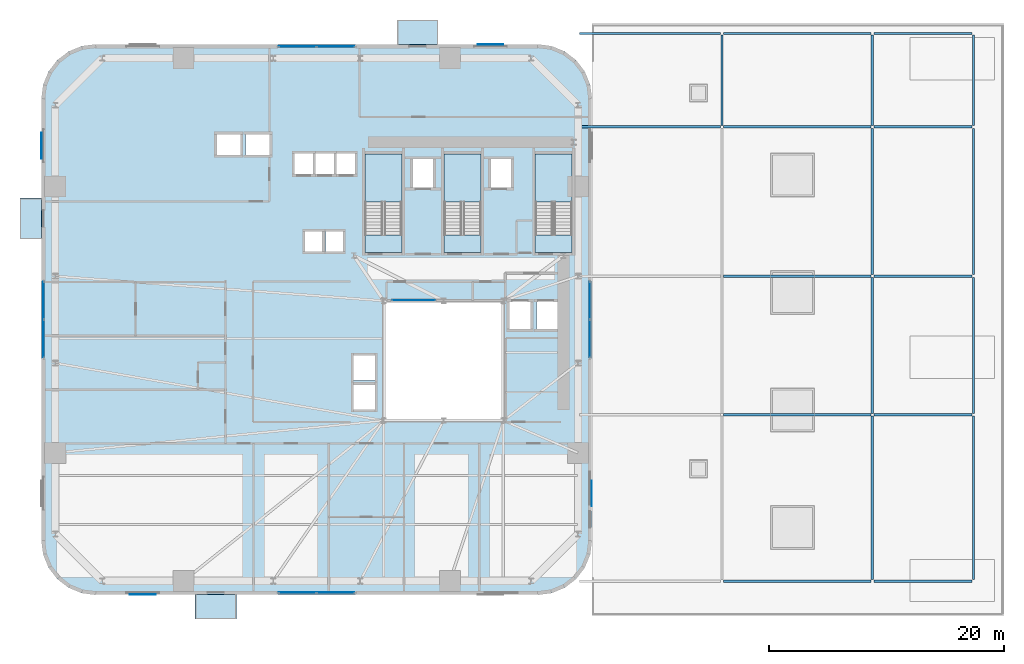
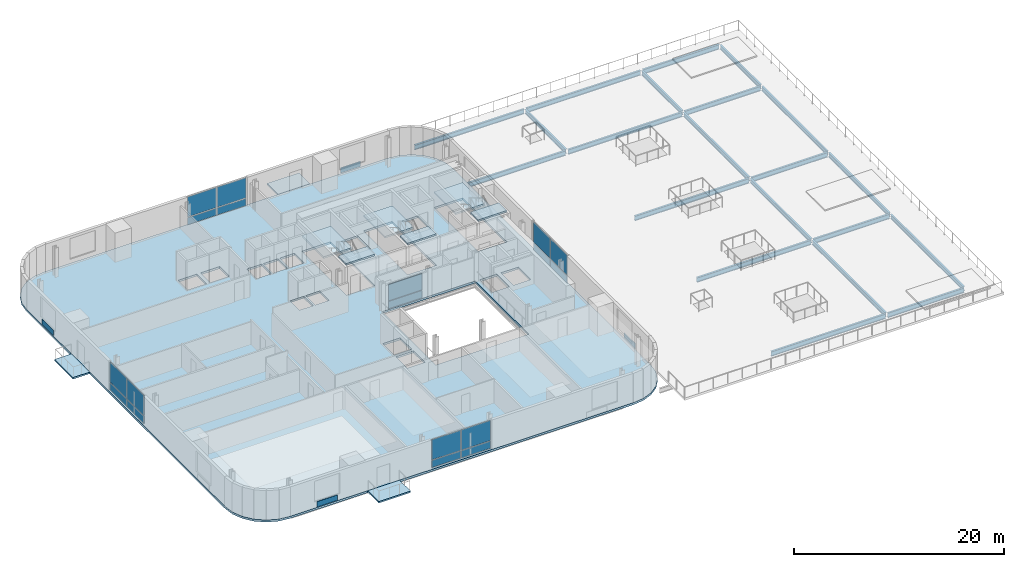
# One storey, part 7 of 18: 22 plates, 21 beams, 10 slabs, 8 elements without a shape of their own.
"""IFC4 building model written with IfcOpenShell, lengths in metres."""

import ifcopenshell
import ifcopenshell.guid

model = None  # the IFC model being written
_history = None  # IfcOwnerHistory: only IFC2X3 demands one
_inside = {}  # id of a spatial element -> (the spatial element, [elements in it])
_under = {}  # id of a project, library or spatial element -> (it, [spatial elements below it])
_declared = {}  # id of a project -> (the project, [libraries it declares])
_typed = {}  # id of a type object -> (the type object, [elements of that type])
_made_of = {}  # id of a material, layer set ... -> (it, [elements and type objects made of it])


def new_model(schema):
    """Start an empty IFC model of exactly this schema.

    Asked for "IFC4X3", IfcOpenShell would pick the latest addendum, in which some entities
    have other attributes; the version numbers below select the first issue.
    IFC2X3 requires an IfcOwnerHistory on every rooted entity: one is made here for all.
    """
    global model, _history
    if schema == "IFC4X3":
        model = ifcopenshell.file(schema_version=(4, 3, 0, 0))
    else:
        model = ifcopenshell.file(schema=schema)
    _inside.clear()
    _under.clear()
    _declared.clear()
    _typed.clear()
    _made_of.clear()
    _history = None
    if model.schema == "IFC2X3":
        org = make("IfcOrganization", Name="unknown")
        user = make(
            "IfcPersonAndOrganization",
            ThePerson=make("IfcPerson", FamilyName="unknown"),
            TheOrganization=org,
        )
        app = make(
            "IfcApplication",
            ApplicationDeveloper=org,
            Version="unknown",
            ApplicationFullName="unknown",
            ApplicationIdentifier="unknown",
        )
        _history = make(
            "IfcOwnerHistory",
            OwningUser=user,
            OwningApplication=app,
            ChangeAction="ADDED",
            CreationDate=0,
        )
    return model


def make(cls, **values):
    """One entity of the class cls with the attributes given. An attribute that is None is left unset."""
    return model.create_entity(
        cls, **{name: value for name, value in values.items() if value is not None}
    )


def rooted(cls, **values):
    """An entity with a GlobalId (a new one), such as an element, a storey or a relation."""
    return make(cls, GlobalId=ifcopenshell.guid.new(), OwnerHistory=_history, **values)


def si_unit(unit_type, name, prefix=None):
    """IfcSIUnit, for example si_unit("LENGTHUNIT", "METRE", prefix="MILLI")."""
    return make("IfcSIUnit", UnitType=unit_type, Prefix=prefix, Name=name)


def assignment(units):
    """IfcUnitAssignment: the units of a project."""
    return None if units is None else make("IfcUnitAssignment", Units=units)


def point(xyz):
    """IfcCartesianPoint."""
    return None if xyz is None else make("IfcCartesianPoint", Coordinates=xyz)


def direction(xyz):
    """IfcDirection."""
    return None if xyz is None else make("IfcDirection", DirectionRatios=xyz)


def frame(location, z_axis=None, x_axis=None):
    """IfcAxis2Placement3D, a coordinate frame: its origin and axes. An axis left out is left unset."""
    return make(
        "IfcAxis2Placement3D",
        Location=point(location),
        Axis=direction(z_axis),
        RefDirection=direction(x_axis),
    )


def frame_2d(location, x_axis=None):
    """IfcAxis2Placement2D, a coordinate frame in the plane: its origin and x axis."""
    return make(
        "IfcAxis2Placement2D", Location=point(location), RefDirection=direction(x_axis)
    )


def origin():
    """The frame at (0, 0, 0) with its axes left unset."""
    return frame((0.0, 0.0, 0.0))


def origin_2d():
    """The frame at (0, 0) in the plane with its x axis left unset."""
    return frame_2d((0.0, 0.0))


def place(relative_to, where):
    """IfcLocalPlacement: puts the frame where relative to a parent placement (None: the world)."""
    return make(
        "IfcLocalPlacement", PlacementRelTo=relative_to, RelativePlacement=where
    )


def context(
    kind, dimensions, precision=None, world=None, true_north=None, identifier=None
):
    """IfcGeometricRepresentationContext, for example the 3D "Model" context."""
    return make(
        "IfcGeometricRepresentationContext",
        ContextIdentifier=identifier,
        ContextType=kind,
        CoordinateSpaceDimension=dimensions,
        Precision=precision,
        WorldCoordinateSystem=world,
        TrueNorth=true_north,
    )


def subcontext(parent, identifier, kind, view, scale=None):
    """IfcGeometricRepresentationSubContext, for example "Body" below "Model"."""
    return make(
        "IfcGeometricRepresentationSubContext",
        ContextIdentifier=identifier,
        ContextType=kind,
        ParentContext=parent,
        TargetScale=scale,
        TargetView=view,
    )


def project(units=None, contexts=None):
    """IfcProject with its units and contexts."""
    return rooted(
        "IfcProject",
        Name="project",
        RepresentationContexts=contexts,
        UnitsInContext=assignment(units),
    )


def spatial(cls, under=None, at=None, **own):
    """A site, building, storey or space (cls), placed at a placement, below another one or the project."""
    s = rooted(cls, ObjectPlacement=at, **own)
    if under is not None:
        _under.setdefault(under.id(), (under, []))[1].append(s)
    return s


def polyline(points):
    """IfcPolyline through the points."""
    return make("IfcPolyline", Points=[point(p) for p in points])


def profile(cls, at=None, kind="AREA", **sizes):
    """A parametric profile (cls). Its sizes go by their IFC names, for example OverallWidth=200.0."""
    return make(cls, ProfileType=kind, Position=at, **sizes)


def rectangle(**sizes):
    """IfcRectangleProfileDef."""
    return profile("IfcRectangleProfileDef", **sizes)


def i_section(**sizes):
    """IfcIShapeProfileDef."""
    return profile("IfcIShapeProfileDef", **sizes)


def outline(outer, holes=None, kind="AREA"):
    """IfcArbitraryClosedProfileDef: a profile drawn as a closed curve; with holes, ...WithVoids."""
    if holes is None:
        return make("IfcArbitraryClosedProfileDef", ProfileType=kind, OuterCurve=outer)
    return make(
        "IfcArbitraryProfileDefWithVoids",
        ProfileType=kind,
        OuterCurve=outer,
        InnerCurves=holes,
    )


def extrude(swept, where, along, depth):
    """IfcExtrudedAreaSolid: the profile swept, set in the frame where, extruded along a direction by depth."""
    return make(
        "IfcExtrudedAreaSolid",
        SweptArea=swept,
        Position=where,
        ExtrudedDirection=direction(along),
        Depth=depth,
    )


def shape(context_of_items, identifier, shape_type, items):
    """IfcShapeRepresentation: the items that make up one representation, for example the "Body"."""
    return make(
        "IfcShapeRepresentation",
        ContextOfItems=context_of_items,
        RepresentationIdentifier=identifier,
        RepresentationType=shape_type,
        Items=items,
    )


def source(mapping_origin, context_of_items, identifier, shape_type, items):
    """IfcRepresentationMap: a shape defined once, which mapped items show again and again."""
    return make(
        "IfcRepresentationMap",
        MappingOrigin=mapping_origin,
        MappedRepresentation=shape(context_of_items, identifier, shape_type, items),
    )


def transform(
    local_origin,
    x_axis=None,
    y_axis=None,
    z_axis=None,
    scale=None,
    scale2=None,
    scale3=None,
    uniform=True,
):
    """IfcCartesianTransformationOperator3D, or its non-uniform kind. x_axis, y_axis, z_axis: its Axis1, 2, 3."""
    if uniform:
        return make(
            "IfcCartesianTransformationOperator3D",
            Axis1=direction(x_axis),
            Axis2=direction(y_axis),
            LocalOrigin=point(local_origin),
            Scale=scale,
            Axis3=direction(z_axis),
        )
    return make(
        "IfcCartesianTransformationOperator3DnonUniform",
        Axis1=direction(x_axis),
        Axis2=direction(y_axis),
        LocalOrigin=point(local_origin),
        Scale=scale,
        Axis3=direction(z_axis),
        Scale2=scale2,
        Scale3=scale3,
    )


def mapped(mapping_source, mapping_target):
    """IfcMappedItem: shows the shape of a source again, moved by a transform."""
    return make(
        "IfcMappedItem", MappingSource=mapping_source, MappingTarget=mapping_target
    )


def material(Name=None, Category=None):
    """IfcMaterial."""
    return make("IfcMaterial", Name=Name, Category=Category)


def layer(
    of_material, thickness, ventilated=None, Name=None, Category=None, Priority=None
):
    """IfcMaterialLayer: one layer of a wall or slab, of a material (None: an air gap)."""
    return make(
        "IfcMaterialLayer",
        Material=of_material,
        LayerThickness=thickness,
        IsVentilated=ventilated,
        Name=Name,
        Category=Category,
        Priority=Priority,
    )


def layer_set(layers, Name=None):
    """IfcMaterialLayerSet."""
    return make("IfcMaterialLayerSet", MaterialLayers=layers, LayerSetName=Name)


def material_profile(
    of_material, cross_section, Name=None, Category=None, Priority=None
):
    """IfcMaterialProfile: a cross section and its material."""
    return make(
        "IfcMaterialProfile",
        Name=Name,
        Material=of_material,
        Profile=cross_section,
        Priority=Priority,
        Category=Category,
    )


def profile_set(profiles, Name=None, composite=None):
    """IfcMaterialProfileSet."""
    return make(
        "IfcMaterialProfileSet",
        Name=Name,
        MaterialProfiles=profiles,
        CompositeProfile=composite,
    )


def made_of(thing, what):
    """Note that an element or type object is made of a material, layer set ...; save() writes the relation."""
    if what is not None:
        _made_of.setdefault(what.id(), (what, []))[1].append(thing)
    return thing


def type_object(cls, material=None, **own):
    """A type object (cls), such as IfcWallType, which elements share."""
    return made_of(rooted(cls, **own), material)


def element(
    cls,
    number,
    at=None,
    inside=None,
    cuts=None,
    type_object=None,
    material=None,
    context=None,
    identifier="Body",
    shape_type=None,
    held_by="IfcProductDefinitionShape",
    body=None,
    shapes=None,
    **own,
):
    """One element of the class cls, such as IfcWall. Its Tag is "e" and its number.

    at: its placement. inside: the storey or other place that contains it. cuts: it is an
    opening in that element (IfcRelVoidsElement). A single representation is given by context,
    identifier, shape_type and body (its items); several are given by shapes. held_by: the class
    of the entity that holds the representations. save() writes the other relations.
    """
    e = rooted(cls, Tag="e%d" % number, ObjectPlacement=at, **own)
    if body is not None:
        shapes = [shape(context, identifier, shape_type, body)]
    if shapes is not None:
        e.Representation = make(held_by, Representations=shapes)
    if inside is not None:
        _inside.setdefault(inside.id(), (inside, []))[1].append(e)
    if cuts is not None:
        rooted(
            "IfcRelVoidsElement", RelatingBuildingElement=cuts, RelatedOpeningElement=e
        )
    if type_object is not None:
        _typed.setdefault(type_object.id(), (type_object, []))[1].append(e)
    return made_of(e, material)


def aggregate(whole, parts):
    """IfcRelAggregates: a whole, such as a stair, and the parts it consists of."""
    return rooted("IfcRelAggregates", RelatingObject=whole, RelatedObjects=parts)


def save(model, path):
    """Write the relations noted so far, then the file.

    IfcRelAggregates (storeys below a building ...), IfcRelContainedInSpatialStructure (elements
    in a storey), IfcRelDefinesByType, IfcRelAssociatesMaterial and IfcRelDeclares: one each for
    every whole, place, type object, material and project.
    """
    for whole, parts in _under.values():
        aggregate(whole, parts)
    for where, things in _inside.values():
        rooted(
            "IfcRelContainedInSpatialStructure",
            RelatedElements=things,
            RelatingStructure=where,
        )
    for kind, things in _typed.values():
        rooted("IfcRelDefinesByType", RelatedObjects=things, RelatingType=kind)
    for what, things in _made_of.values():
        rooted("IfcRelAssociatesMaterial", RelatedObjects=things, RelatingMaterial=what)
    for by, libraries in _declared.values():
        rooted("IfcRelDeclares", RelatingContext=by, RelatedDefinitions=libraries)
    model.write(path)


model = new_model("IFC4")

# Units and contexts
model_context = context("Model", 3, precision=1e-05, world=origin(), true_north=direction((0.0, 1.0)))
body_context = subcontext(model_context, "Body", "Model", "MODEL_VIEW")
ifc_project = project(units=[si_unit("LENGTHUNIT", "METRE"), si_unit("AREAUNIT", "SQUARE_METRE"), si_unit("VOLUMEUNIT", "CUBIC_METRE"), si_unit("PLANEANGLEUNIT", "RADIAN"), si_unit("MASSUNIT", "GRAM", prefix="KILO")], contexts=[model_context])

# Site, building, storey
site_placement = place(None, origin())
site = spatial("IfcSite", under=ifc_project, at=site_placement, CompositionType="ELEMENT")
building_placement = place(site_placement, origin())
building = spatial("IfcBuilding", under=site, at=building_placement, Name="Vardaveli Station Tower", CompositionType="ELEMENT")
storey_placement = place(building_placement, frame((0.0, 0.0, 27.60009765625)))
storey = spatial("IfcBuildingStorey", under=building, at=storey_placement, Name="L06", CompositionType="ELEMENT", Elevation=27.60009765625)

# Beams
ifc_material_1 = material(Name="Structural steel S355J2", Category="steel")
ifc_material_profile_1 = material_profile(ifc_material_1, i_section(OverallWidth=0.2099609375, OverallDepth=0.550048828125, WebThickness=0.010986328125, FlangeThickness=0.01708984375, FilletRadius=0.02392578125, at=origin_2d()), Name="IPE 550")
ifc_profile_set_1 = profile_set([ifc_material_profile_1], Name="Structural steel S355J2")
beam_type_1 = type_object("IfcBeamType", Name="BM-IPE550", PredefinedType="BEAM", material=ifc_profile_set_1)
shared_shape_1 = source(origin(), body_context, "Body", "SweptSolid", [
    extrude(i_section(OverallWidth=0.2099609375, OverallDepth=0.550048828125, WebThickness=0.010986328125, FlangeThickness=0.01708984375, FilletRadius=0.02392578125, at=origin_2d()), origin(), (0.0, 0.0, 1.0), 12.009765625),
])
for number, where, z_axis, x_axis, name in (
    (1, (47.8701171875, 41.60009765625, -0.53515625), (1.0, 0.0, 0.0), (0.0, 1.0, 0.0), "PRB-L06-EW4-47"),
    (2, (47.8701171875, 49.550048828125, -0.53515625), (1.0, 0.0, 0.0), (0.0, 1.0, 0.0), "PRB-L06-EW5-47"),
):
    element("IfcBeam", number, at=place(storey_placement, frame(where, z_axis=z_axis, x_axis=x_axis)), inside=storey, type_object=beam_type_1, Name=name, PredefinedType="BEAM", context=body_context, shape_type="MappedRepresentation", body=[
        mapped(shared_shape_1, transform((0.0, 0.0, 0.0), scale=1.0)),
    ])
shared_shape_2 = source(origin(), body_context, "Body", "SweptSolid", [
    extrude(i_section(OverallWidth=0.2099609375, OverallDepth=0.550048828125, WebThickness=0.010986328125, FlangeThickness=0.01708984375, FilletRadius=0.02392578125, at=origin_2d()), origin(), (0.0, 0.0, 1.0), 12.559814453125),
])
for number, where, z_axis, x_axis, name in (
    (3, (60.1201171875, 2.949951171875, -0.53515625), (1.0, 0.0, 0.0), (0.0, 1.0, 0.0), "PRB-L06-EW1-60"),
    (4, (60.1201171875, 17.10009765625, -0.53515625), (1.0, 0.0, 0.0), (0.0, 1.0, 0.0), "PRB-L06-EW2-60"),
    (5, (60.1201171875, 28.89990234375, -0.53515625), (1.0, 0.0, 0.0), (0.0, 1.0, 0.0), "PRB-L06-EW3-60"),
    (6, (60.1201171875, 41.60009765625, -0.53515625), (1.0, 0.0, 0.0), (0.0, 1.0, 0.0), "PRB-L06-EW4-60"),
    (7, (60.1201171875, 49.550048828125, -0.53515625), (1.0, 0.0, 0.0), (0.0, 1.0, 0.0), "PRB-L06-EW5-60"),
):
    element("IfcBeam", number, at=place(storey_placement, frame(where, z_axis=z_axis, x_axis=x_axis)), inside=storey, type_object=beam_type_1, Name=name, PredefinedType="BEAM", context=body_context, shape_type="MappedRepresentation", body=[
        mapped(shared_shape_2, transform((0.0, 0.0, 0.0), scale=1.0)),
    ])
shared_shape_3 = source(origin(), body_context, "Body", "SweptSolid", [
    extrude(i_section(OverallWidth=0.2099609375, OverallDepth=0.550048828125, WebThickness=0.010986328125, FlangeThickness=0.01708984375, FilletRadius=0.02392578125, at=origin_2d()), origin(), (0.0, 0.0, 1.0), 8.360107421875),
])
for number, where, z_axis, x_axis, name in (
    (8, (72.919921875, 2.949951171875, -0.53515625), (1.0, 0.0, 0.0), (0.0, 1.0, 0.0), "PRB-L06-EW1-72"),
    (9, (72.919921875, 17.10009765625, -0.53515625), (1.0, 0.0, 0.0), (0.0, 1.0, 0.0), "PRB-L06-EW2-72"),
    (10, (72.919921875, 28.89990234375, -0.53515625), (1.0, 0.0, 0.0), (0.0, 1.0, 0.0), "PRB-L06-EW3-72"),
    (11, (72.919921875, 41.60009765625, -0.53515625), (1.0, 0.0, 0.0), (0.0, 1.0, 0.0), "PRB-L06-EW4-72"),
    (12, (72.919921875, 49.550048828125, -0.53515625), (1.0, 0.0, 0.0), (0.0, 1.0, 0.0), "PRB-L06-EW5-72"),
):
    element("IfcBeam", number, at=place(storey_placement, frame(where, z_axis=z_axis, x_axis=x_axis)), inside=storey, type_object=beam_type_1, Name=name, PredefinedType="BEAM", context=body_context, shape_type="MappedRepresentation", body=[
        mapped(shared_shape_3, transform((0.0, 0.0, 0.0), scale=1.0)),
    ])
ifc_material_profile_2 = material_profile(ifc_material_1, i_section(OverallWidth=0.199951171875, OverallDepth=0.5, WebThickness=0.01025390625, FlangeThickness=0.01611328125, FilletRadius=0.02099609375, at=origin_2d()), Name="IPE 500")
ifc_profile_set_2 = profile_set([ifc_material_profile_2], Name="Structural steel S355J2")
beam_type_2 = type_object("IfcBeamType", Name="BM-IPE500", PredefinedType="BEAM", material=ifc_profile_set_2)
shared_shape_4 = source(origin(), body_context, "Body", "SweptSolid", [
    extrude(i_section(OverallWidth=0.199951171875, OverallDepth=0.5, WebThickness=0.01025390625, FlangeThickness=0.01611328125, FilletRadius=0.02099609375, at=origin_2d()), origin(), (0.0, 0.0, 1.0), 13.909912109375),
])
for number, where, z_axis, x_axis, name in (
    (13, (72.800048828125, 3.070068359375, -0.510009765625), (0.0, 1.0, 0.0), (-1.0, 0.0, 0.0), "PRB-L06-NS72-1"),
    (14, (81.39990234375, 3.070068359375, -0.510009765625), (0.0, 1.0, 0.0), (-1.0, 0.0, 0.0), "PRB-L06-NS81-1"),
):
    element("IfcBeam", number, at=place(storey_placement, frame(where, z_axis=z_axis, x_axis=x_axis)), inside=storey, type_object=beam_type_2, Name=name, PredefinedType="BEAM", context=body_context, shape_type="MappedRepresentation", body=[
        mapped(shared_shape_4, transform((0.0, 0.0, 0.0), scale=1.0)),
    ])
shared_shape_5 = source(origin(), body_context, "Body", "SweptSolid", [
    extrude(i_section(OverallWidth=0.199951171875, OverallDepth=0.5, WebThickness=0.01025390625, FlangeThickness=0.01611328125, FilletRadius=0.02099609375, at=origin_2d()), origin(), (0.0, 0.0, 1.0), 7.7099609375),
])
for number, where, z_axis, x_axis, name in (
    (15, (60.0, 41.719970703125, -0.510009765625), (0.0, 1.0, 0.0), (-1.0, 0.0, 0.0), "PRB-L06-NS60-3"),
    (16, (72.800048828125, 41.719970703125, -0.510009765625), (0.0, 1.0, 0.0), (-1.0, 0.0, 0.0), "PRB-L06-NS72-4"),
    (17, (81.39990234375, 41.719970703125, -0.510009765625), (0.0, 1.0, 0.0), (-1.0, 0.0, 0.0), "PRB-L06-NS81-4"),
):
    element("IfcBeam", number, at=place(storey_placement, frame(where, z_axis=z_axis, x_axis=x_axis)), inside=storey, type_object=beam_type_2, Name=name, PredefinedType="BEAM", context=body_context, shape_type="MappedRepresentation", body=[
        mapped(shared_shape_5, transform((0.0, 0.0, 0.0), scale=1.0)),
    ])
shared_shape_6 = source(origin(), body_context, "Body", "SweptSolid", [
    extrude(i_section(OverallWidth=0.199951171875, OverallDepth=0.5, WebThickness=0.01025390625, FlangeThickness=0.01611328125, FilletRadius=0.02099609375, at=origin_2d()), origin(), (0.0, 0.0, 1.0), 11.56005859375),
])
for number, where, z_axis, x_axis, name in (
    (18, (72.800048828125, 17.219970703125, -0.510009765625), (0.0, 1.0, 0.0), (-1.0, 0.0, 0.0), "PRB-L06-NS72-2"),
    (19, (81.39990234375, 17.219970703125, -0.510009765625), (0.0, 1.0, 0.0), (-1.0, 0.0, 0.0), "PRB-L06-NS81-2"),
):
    element("IfcBeam", number, at=place(storey_placement, frame(where, z_axis=z_axis, x_axis=x_axis)), inside=storey, type_object=beam_type_2, Name=name, PredefinedType="BEAM", context=body_context, shape_type="MappedRepresentation", body=[
        mapped(shared_shape_6, transform((0.0, 0.0, 0.0), scale=1.0)),
    ])
shared_shape_7 = source(origin(), body_context, "Body", "SweptSolid", [
    extrude(i_section(OverallWidth=0.199951171875, OverallDepth=0.5, WebThickness=0.01025390625, FlangeThickness=0.01611328125, FilletRadius=0.02099609375, at=origin_2d()), origin(), (0.0, 0.0, 1.0), 12.4599609375),
])
for number, where, z_axis, x_axis, name in (
    (20, (72.800048828125, 29.02001953125, -0.510009765625), (0.0, 1.0, 0.0), (-1.0, 0.0, 0.0), "PRB-L06-NS72-3"),
    (21, (81.39990234375, 29.02001953125, -0.510009765625), (0.0, 1.0, 0.0), (-1.0, 0.0, 0.0), "PRB-L06-NS81-3"),
):
    element("IfcBeam", number, at=place(storey_placement, frame(where, z_axis=z_axis, x_axis=x_axis)), inside=storey, type_object=beam_type_2, Name=name, PredefinedType="BEAM", context=body_context, shape_type="MappedRepresentation", body=[
        mapped(shared_shape_7, transform((0.0, 0.0, 0.0), scale=1.0)),
    ])

# Stair, slabs
ifc_material_2 = material(Name="Concrete C40/50", Category="concrete")
stair_type = type_object("IfcStairType", Name="STR-CORE-1500", PredefinedType="HALF_TURN_STAIR", material=ifc_material_2)
stair_1_placement = place(storey_placement, origin())
stair_1 = element("IfcStair", 22, at=stair_1_placement, inside=storey, type_object=stair_type, Name="L06 ST-1", PredefinedType="HALF_TURN_STAIR")
ifc_layer_1 = layer(ifc_material_2, 0.199951171875, Name="Concrete C40/50")
ifc_layer_set_1 = layer_set([ifc_layer_1], Name="Concrete C40/50")
slab_type_1 = type_object("IfcSlabType", Name="SLB-LAND-200", PredefinedType="LANDING", material=ifc_layer_set_1)
slab_1_placement = place(storey_placement, frame((0.0, 0.0, 1.625)))
slab_1 = element("IfcSlab", 23, at=slab_1_placement, type_object=slab_type_1, Name="ST-1 landing 1", PredefinedType="LANDING", context=body_context, shape_type="SweptSolid", body=[
    extrude(outline(polyline([(32.75, 35.199951171875), (32.75, 39.300048828125), (29.60009765625, 39.300048828125), (29.60009765625, 35.199951171875), (32.75, 35.199951171875)])), origin(), (0.0, 0.0, 1.0), 0.199951171875),
])
slab_2_placement = place(storey_placement, frame((0.0, 0.0, 3.449951171875)))
slab_2 = element("IfcSlab", 24, at=slab_2_placement, type_object=slab_type_1, Name="ST-1 landing 2", PredefinedType="LANDING", context=body_context, shape_type="SweptSolid", body=[
    extrude(outline(polyline([(32.75, 30.89990234375), (32.75, 32.39990234375), (29.60009765625, 32.39990234375), (29.60009765625, 30.89990234375), (32.75, 30.89990234375)])), origin(), (0.0, 0.0, 1.0), 0.199951171875),
])
aggregate(stair_1, [slab_1, slab_2])

stair_2_placement = place(storey_placement, origin())
stair_2 = element("IfcStair", 25, at=stair_2_placement, inside=storey, type_object=stair_type, Name="L06 ST-2", PredefinedType="HALF_TURN_STAIR")
slab_3_placement = place(storey_placement, frame((0.0, 0.0, 1.625)))
slab_3 = element("IfcSlab", 26, at=slab_3_placement, type_object=slab_type_1, Name="ST-2 landing 1", PredefinedType="LANDING", context=body_context, shape_type="SweptSolid", body=[
    extrude(outline(polyline([(39.5, 35.199951171875), (39.5, 39.300048828125), (36.35009765625, 39.300048828125), (36.35009765625, 35.199951171875), (39.5, 35.199951171875)])), origin(), (0.0, 0.0, 1.0), 0.199951171875),
])
slab_4_placement = place(storey_placement, frame((0.0, 0.0, 3.449951171875)))
slab_4 = element("IfcSlab", 27, at=slab_4_placement, type_object=slab_type_1, Name="ST-2 landing 2", PredefinedType="LANDING", context=body_context, shape_type="SweptSolid", body=[
    extrude(outline(polyline([(39.5, 30.89990234375), (39.5, 32.39990234375), (36.35009765625, 32.39990234375), (36.35009765625, 30.89990234375), (39.5, 30.89990234375)])), origin(), (0.0, 0.0, 1.0), 0.199951171875),
])
aggregate(stair_2, [slab_3, slab_4])

stair_3_placement = place(storey_placement, origin())
stair_3 = element("IfcStair", 28, at=stair_3_placement, inside=storey, type_object=stair_type, Name="L06 ST-3", PredefinedType="HALF_TURN_STAIR")
slab_5_placement = place(storey_placement, frame((0.0, 0.0, 1.625)))
slab_5 = element("IfcSlab", 29, at=slab_5_placement, type_object=slab_type_1, Name="ST-3 landing 1", PredefinedType="LANDING", context=body_context, shape_type="SweptSolid", body=[
    extrude(outline(polyline([(47.25, 35.199951171875), (47.25, 39.300048828125), (44.10009765625, 39.300048828125), (44.10009765625, 35.199951171875), (47.25, 35.199951171875)])), origin(), (0.0, 0.0, 1.0), 0.199951171875),
])
slab_6_placement = place(storey_placement, frame((0.0, 0.0, 3.449951171875)))
slab_6 = element("IfcSlab", 30, at=slab_6_placement, type_object=slab_type_1, Name="ST-3 landing 2", PredefinedType="LANDING", context=body_context, shape_type="SweptSolid", body=[
    extrude(outline(polyline([(47.25, 30.89990234375), (47.25, 32.39990234375), (44.10009765625, 32.39990234375), (44.10009765625, 30.89990234375), (47.25, 30.89990234375)])), origin(), (0.0, 0.0, 1.0), 0.199951171875),
])
aggregate(stair_3, [slab_5, slab_6])

# Slabs
ifc_material_3 = material(Name="Precast concrete C45/55", Category="concrete")
ifc_layer_2 = layer(ifc_material_3, 0.179931640625, Name="Precast concrete C45/55")
ifc_layer_set_2 = layer_set([ifc_layer_2], Name="Precast concrete C45/55")
slab_type_2 = type_object("IfcSlabType", Name="SLB-LOGGIA-180", PredefinedType="FLOOR", material=ifc_layer_set_2)
slab_7_placement = place(storey_placement, frame((0.0, 0.0, -0.18017578125)))
element("IfcSlab", 31, at=slab_7_placement, inside=storey, type_object=slab_type_2, Name="LOG-L06-S", PredefinedType="FLOOR", context=body_context, shape_type="SweptSolid", body=[
    extrude(outline(polyline([(15.160400390625, -0.300048828125), (18.660400390625, -0.300048828125), (18.660400390625, 1.800048828125), (15.160400390625, 1.800048828125), (15.160400390625, -0.300048828125)])), origin(), (0.0, 0.0, 1.0), 0.18017578125),
])
slab_8_placement = place(storey_placement, frame((0.0, 0.0, -0.18017578125)))
element("IfcSlab", 32, at=slab_8_placement, inside=storey, type_object=slab_type_2, Name="LOG-L06-N", PredefinedType="FLOOR", context=body_context, shape_type="SweptSolid", body=[
    extrude(outline(polyline([(32.339599609375, 48.60009765625), (35.839599609375, 48.60009765625), (35.839599609375, 50.699951171875), (32.339599609375, 50.699951171875), (32.339599609375, 48.60009765625)])), origin(), (0.0, 0.0, 1.0), 0.18017578125),
])
slab_9_placement = place(storey_placement, frame((0.0, 0.0, -0.18017578125)))
element("IfcSlab", 33, at=slab_9_placement, inside=storey, type_object=slab_type_2, Name="LOG-L06-W", PredefinedType="FLOOR", context=body_context, shape_type="SweptSolid", body=[
    extrude(outline(polyline([(0.25, 32.03955078125), (2.10009765625, 32.03955078125), (2.10009765625, 35.53955078125), (0.25, 35.53955078125), (0.25, 32.03955078125)])), origin(), (0.0, 0.0, 1.0), 0.18017578125),
])
ifc_layer_3 = layer(ifc_material_2, 0.239990234375, Name="Concrete C40/50")
ifc_layer_set_3 = layer_set([ifc_layer_3], Name="Concrete C40/50")
slab_type_3 = type_object("IfcSlabType", Name="SLB-TOW-240", PredefinedType="FLOOR", material=ifc_layer_set_3)
slab_10_placement = place(storey_placement, frame((0.0, 0.0, -0.239990234375)))
element("IfcSlab", 34, at=slab_10_placement, inside=storey, type_object=slab_type_3, Name="SLB-L06-MAIN", PredefinedType="FLOOR", context=body_context, shape_type="SweptSolid", body=[
    extrude(outline(polyline([(2.10009765625, 6.300048828125), (2.25341796875, 5.13525390625), (2.702880859375, 4.050048828125), (3.41796875, 3.117919921875), (4.35009765625, 2.40283203125), (5.435302734375, 1.953369140625), (6.60009765625, 1.800048828125), (44.39990234375, 1.800048828125), (45.564697265625, 1.953369140625), (46.64990234375, 2.40283203125), (47.58203125, 3.117919921875), (48.297119140625, 4.050048828125), (48.74658203125, 5.13525390625), (48.89990234375, 6.300048828125), (48.89990234375, 44.10009765625), (48.74658203125, 45.2646484375), (48.297119140625, 46.35009765625), (47.58203125, 47.281982421875), (46.64990234375, 47.9970703125), (45.564697265625, 48.44677734375), (44.39990234375, 48.60009765625), (6.60009765625, 48.60009765625), (5.435302734375, 48.44677734375), (4.35009765625, 47.9970703125), (3.41796875, 47.281982421875), (2.702880859375, 46.35009765625), (2.25341796875, 45.2646484375), (2.10009765625, 44.10009765625), (2.10009765625, 6.300048828125)]), holes=[polyline([(31.199951171875, 16.60009765625), (41.39990234375, 16.60009765625), (41.39990234375, 26.800048828125), (31.199951171875, 26.800048828125), (31.199951171875, 16.60009765625)]), polyline([(32.75, 30.89990234375), (32.75, 39.300048828125), (29.60009765625, 39.300048828125), (29.60009765625, 30.89990234375), (32.75, 30.89990234375)]), polyline([(39.5, 30.89990234375), (39.5, 39.300048828125), (36.35009765625, 39.300048828125), (36.35009765625, 30.89990234375), (39.5, 30.89990234375)]), polyline([(47.25, 30.89990234375), (47.25, 39.300048828125), (44.10009765625, 39.300048828125), (44.10009765625, 30.89990234375), (47.25, 30.89990234375)]), polyline([(16.9599609375, 39.18505859375), (19.0400390625, 39.18505859375), (19.0400390625, 41.014892578125), (16.9599609375, 41.014892578125), (16.9599609375, 39.18505859375)]), polyline([(19.4599609375, 39.18505859375), (21.5400390625, 39.18505859375), (21.5400390625, 41.014892578125), (19.4599609375, 41.014892578125), (19.4599609375, 39.18505859375)]), polyline([(23.5849609375, 37.534912109375), (25.215087890625, 37.534912109375), (25.215087890625, 39.364990234375), (23.5849609375, 39.364990234375), (23.5849609375, 37.534912109375)]), polyline([(25.385009765625, 37.534912109375), (27.014892578125, 37.534912109375), (27.014892578125, 39.364990234375), (25.385009765625, 39.364990234375), (25.385009765625, 37.534912109375)]), polyline([(27.18505859375, 37.534912109375), (28.81494140625, 37.534912109375), (28.81494140625, 39.364990234375), (27.18505859375, 39.364990234375), (27.18505859375, 37.534912109375)]), polyline([(33.659912109375, 36.409912109375), (35.43994140625, 36.409912109375), (35.43994140625, 38.889892578125), (33.659912109375, 38.889892578125), (33.659912109375, 36.409912109375)]), polyline([(40.31005859375, 36.409912109375), (42.090087890625, 36.409912109375), (42.090087890625, 38.889892578125), (40.31005859375, 38.889892578125), (40.31005859375, 36.409912109375)]), polyline([(24.485107421875, 30.9599609375), (26.014892578125, 30.9599609375), (26.014892578125, 32.739990234375), (24.485107421875, 32.739990234375), (24.485107421875, 30.9599609375)]), polyline([(26.235107421875, 30.9599609375), (27.764892578125, 30.9599609375), (27.764892578125, 32.739990234375), (26.235107421875, 32.739990234375), (26.235107421875, 30.9599609375)]), polyline([(28.5849609375, 17.510009765625), (30.514892578125, 17.510009765625), (30.514892578125, 19.68994140625), (28.5849609375, 19.68994140625), (28.5849609375, 17.510009765625)]), polyline([(28.5849609375, 20.010009765625), (30.514892578125, 20.010009765625), (30.514892578125, 22.18994140625), (28.5849609375, 22.18994140625), (28.5849609375, 20.010009765625)]), polyline([(41.860107421875, 24.360107421875), (43.739990234375, 24.360107421875), (43.739990234375, 26.739990234375), (41.860107421875, 26.739990234375), (41.860107421875, 24.360107421875)]), polyline([(44.2099609375, 24.360107421875), (46.090087890625, 24.360107421875), (46.090087890625, 26.739990234375), (44.2099609375, 26.739990234375), (44.2099609375, 24.360107421875)])]), origin(), (0.0, 0.0, 1.0), 0.239990234375),
])

# Curtain wall, plates
ifc_material_4 = material(Name="Travertine stone and solar-control glass", Category="masonry")
curtain_wall_type_1 = type_object("IfcCurtainWallType", Name="CW-SYS-2", PredefinedType="NOTDEFINED", material=ifc_material_4)
curtain_wall_1_placement = place(storey_placement, origin())
curtain_wall_1 = element("IfcCurtainWall", 35, at=curtain_wall_1_placement, inside=storey, type_object=curtain_wall_type_1, Name="CW-L06-S", PredefinedType="NOTDEFINED")
ifc_material_5 = material(Name="Double-glazed low-E solar-control glass", Category="glass")
ifc_layer_4 = layer(ifc_material_5, 0.035888671875, Name="Double-glazed low-E solar-control glass")
ifc_layer_set_4 = layer_set([ifc_layer_4], Name="Double-glazed low-E solar-control glass")
plate_type_1 = type_object("IfcPlateType", Name="CW-SYS-2-PAN", PredefinedType="CURTAIN_PANEL", material=ifc_layer_set_4)
shared_shape_8 = source(origin(), body_context, "Body", "SweptSolid", [
    extrude(rectangle(XDim=3.172607421875, YDim=0.035888671875, at=origin_2d()), origin(), (0.0, 0.0, 1.0), 0.822509765625),
])
plate_1_placement = place(storey_placement, frame((23.871337890625, 1.9599609375, 0.0849609375), z_axis=(0.0, 0.0, 1.0), x_axis=(1.0, 0.0, 0.0)))
plate_1 = element("IfcPlate", 36, at=plate_1_placement, type_object=plate_type_1, Name="CW-2 panel 1.1", PredefinedType="CURTAIN_PANEL", context=body_context, shape_type="MappedRepresentation", body=[
    mapped(shared_shape_8, transform((0.0, 0.0, 0.0), scale=1.0)),
])
plate_2_placement = place(storey_placement, frame((27.128662109375, 1.9599609375, 0.0849609375), z_axis=(0.0, 0.0, 1.0), x_axis=(1.0, 0.0, 0.0)))
plate_2 = element("IfcPlate", 37, at=plate_2_placement, type_object=plate_type_1, Name="CW-2 panel 2.1", PredefinedType="CURTAIN_PANEL", context=body_context, shape_type="MappedRepresentation", body=[
    mapped(shared_shape_8, transform((0.0, 0.0, 0.0), scale=1.0)),
])

curtain_wall_2_placement = place(storey_placement, origin())
curtain_wall_2 = element("IfcCurtainWall", 38, at=curtain_wall_2_placement, inside=storey, type_object=curtain_wall_type_1, Name="CW-L06-N", PredefinedType="NOTDEFINED")
plate_3_placement = place(storey_placement, frame((27.128662109375, 48.43994140625, 0.0849609375), z_axis=(0.0, 0.0, 1.0), x_axis=(-1.0, 0.0, 0.0)))
plate_3 = element("IfcPlate", 39, at=plate_3_placement, type_object=plate_type_1, Name="CW-2 panel 1.1", PredefinedType="CURTAIN_PANEL", context=body_context, shape_type="MappedRepresentation", body=[
    mapped(shared_shape_8, transform((0.0, 0.0, 0.0), scale=1.0)),
])
plate_4_placement = place(storey_placement, frame((23.871337890625, 48.43994140625, 0.0849609375), z_axis=(0.0, 0.0, 1.0), x_axis=(-1.0, 0.0, 0.0)))
plate_4 = element("IfcPlate", 40, at=plate_4_placement, type_object=plate_type_1, Name="CW-2 panel 2.1", PredefinedType="CURTAIN_PANEL", context=body_context, shape_type="MappedRepresentation", body=[
    mapped(shared_shape_8, transform((0.0, 0.0, 0.0), scale=1.0)),
])

curtain_wall_3_placement = place(storey_placement, origin())
curtain_wall_3 = element("IfcCurtainWall", 41, at=curtain_wall_3_placement, inside=storey, type_object=curtain_wall_type_1, Name="CW-L06-W", PredefinedType="NOTDEFINED")
plate_5_placement = place(storey_placement, frame((2.260009765625, 26.828857421875, 0.0849609375), z_axis=(0.0, 0.0, 1.0), x_axis=(0.0, -1.0, 0.0)))
plate_5 = element("IfcPlate", 42, at=plate_5_placement, type_object=plate_type_1, Name="CW-2 panel 1.1", PredefinedType="CURTAIN_PANEL", context=body_context, shape_type="MappedRepresentation", body=[
    mapped(shared_shape_8, transform((0.0, 0.0, 0.0), scale=1.0)),
])
plate_6_placement = place(storey_placement, frame((2.260009765625, 23.5712890625, 0.0849609375), z_axis=(0.0, 0.0, 1.0), x_axis=(0.0, -1.0, 0.0)))
plate_6 = element("IfcPlate", 43, at=plate_6_placement, type_object=plate_type_1, Name="CW-2 panel 2.1", PredefinedType="CURTAIN_PANEL", context=body_context, shape_type="MappedRepresentation", body=[
    mapped(shared_shape_8, transform((0.0, 0.0, 0.0), scale=1.0)),
])

curtain_wall_4_placement = place(storey_placement, origin())
curtain_wall_4 = element("IfcCurtainWall", 44, at=curtain_wall_4_placement, inside=storey, type_object=curtain_wall_type_1, Name="CW-L06-E", PredefinedType="NOTDEFINED")
plate_7_placement = place(storey_placement, frame((48.739990234375, 23.5712890625, 0.0849609375), z_axis=(0.0, 0.0, 1.0), x_axis=(0.0, 1.0, 0.0)))
plate_7 = element("IfcPlate", 45, at=plate_7_placement, type_object=plate_type_1, Name="CW-2 panel 1.1", PredefinedType="CURTAIN_PANEL", context=body_context, shape_type="MappedRepresentation", body=[
    mapped(shared_shape_8, transform((0.0, 0.0, 0.0), scale=1.0)),
])
plate_8_placement = place(storey_placement, frame((48.739990234375, 26.828857421875, 0.0849609375), z_axis=(0.0, 0.0, 1.0), x_axis=(0.0, 1.0, 0.0)))
plate_8 = element("IfcPlate", 46, at=plate_8_placement, type_object=plate_type_1, Name="CW-2 panel 2.1", PredefinedType="CURTAIN_PANEL", context=body_context, shape_type="MappedRepresentation", body=[
    mapped(shared_shape_8, transform((0.0, 0.0, 0.0), scale=1.0)),
])

# Plate
shared_shape_9 = source(origin(), body_context, "Body", "SweptSolid", [
    extrude(rectangle(XDim=3.172607421875, YDim=0.035888671875, at=origin_2d()), origin(), (0.0, 0.0, 1.0), 2.33251953125),
])
plate_9_placement = place(storey_placement, frame((23.871337890625, 1.9599609375, 0.992431640625), z_axis=(0.0, 0.0, 1.0), x_axis=(1.0, 0.0, 0.0)))
plate_9 = element("IfcPlate", 47, at=plate_9_placement, type_object=plate_type_1, Name="CW-2 panel 1.2", PredefinedType="CURTAIN_PANEL", context=body_context, shape_type="MappedRepresentation", body=[
    mapped(shared_shape_9, transform((0.0, 0.0, 0.0), scale=1.0)),
])

plate_10_placement = place(storey_placement, frame((27.128662109375, 1.9599609375, 0.992431640625), z_axis=(0.0, 0.0, 1.0), x_axis=(1.0, 0.0, 0.0)))
plate_10 = element("IfcPlate", 48, at=plate_10_placement, type_object=plate_type_1, Name="CW-2 panel 2.2", PredefinedType="CURTAIN_PANEL", context=body_context, shape_type="MappedRepresentation", body=[
    mapped(shared_shape_9, transform((0.0, 0.0, 0.0), scale=1.0)),
])

aggregate(curtain_wall_1, [plate_1, plate_9, plate_2, plate_10])

plate_11_placement = place(storey_placement, frame((27.128662109375, 48.43994140625, 0.992431640625), z_axis=(0.0, 0.0, 1.0), x_axis=(-1.0, 0.0, 0.0)))
plate_11 = element("IfcPlate", 49, at=plate_11_placement, type_object=plate_type_1, Name="CW-2 panel 1.2", PredefinedType="CURTAIN_PANEL", context=body_context, shape_type="MappedRepresentation", body=[
    mapped(shared_shape_9, transform((0.0, 0.0, 0.0), scale=1.0)),
])

plate_12_placement = place(storey_placement, frame((23.871337890625, 48.43994140625, 0.992431640625), z_axis=(0.0, 0.0, 1.0), x_axis=(-1.0, 0.0, 0.0)))
plate_12 = element("IfcPlate", 50, at=plate_12_placement, type_object=plate_type_1, Name="CW-2 panel 2.2", PredefinedType="CURTAIN_PANEL", context=body_context, shape_type="MappedRepresentation", body=[
    mapped(shared_shape_9, transform((0.0, 0.0, 0.0), scale=1.0)),
])

aggregate(curtain_wall_2, [plate_3, plate_11, plate_4, plate_12])

plate_13_placement = place(storey_placement, frame((2.260009765625, 26.828857421875, 0.992431640625), z_axis=(0.0, 0.0, 1.0), x_axis=(0.0, -1.0, 0.0)))
plate_13 = element("IfcPlate", 51, at=plate_13_placement, type_object=plate_type_1, Name="CW-2 panel 1.2", PredefinedType="CURTAIN_PANEL", context=body_context, shape_type="MappedRepresentation", body=[
    mapped(shared_shape_9, transform((0.0, 0.0, 0.0), scale=1.0)),
])

plate_14_placement = place(storey_placement, frame((2.260009765625, 23.5712890625, 0.992431640625), z_axis=(0.0, 0.0, 1.0), x_axis=(0.0, -1.0, 0.0)))
plate_14 = element("IfcPlate", 52, at=plate_14_placement, type_object=plate_type_1, Name="CW-2 panel 2.2", PredefinedType="CURTAIN_PANEL", context=body_context, shape_type="MappedRepresentation", body=[
    mapped(shared_shape_9, transform((0.0, 0.0, 0.0), scale=1.0)),
])

aggregate(curtain_wall_3, [plate_5, plate_13, plate_6, plate_14])

plate_15_placement = place(storey_placement, frame((48.739990234375, 23.5712890625, 0.992431640625), z_axis=(0.0, 0.0, 1.0), x_axis=(0.0, 1.0, 0.0)))
plate_15 = element("IfcPlate", 53, at=plate_15_placement, type_object=plate_type_1, Name="CW-2 panel 1.2", PredefinedType="CURTAIN_PANEL", context=body_context, shape_type="MappedRepresentation", body=[
    mapped(shared_shape_9, transform((0.0, 0.0, 0.0), scale=1.0)),
])

plate_16_placement = place(storey_placement, frame((48.739990234375, 26.828857421875, 0.992431640625), z_axis=(0.0, 0.0, 1.0), x_axis=(0.0, 1.0, 0.0)))
plate_16 = element("IfcPlate", 54, at=plate_16_placement, type_object=plate_type_1, Name="CW-2 panel 2.2", PredefinedType="CURTAIN_PANEL", context=body_context, shape_type="MappedRepresentation", body=[
    mapped(shared_shape_9, transform((0.0, 0.0, 0.0), scale=1.0)),
])

aggregate(curtain_wall_4, [plate_7, plate_15, plate_8, plate_16])

# Plates
ifc_material_6 = material(Name="Honed Caucasian travertine stone", Category="masonry")
ifc_layer_5 = layer(ifc_material_6, 0.034912109375, Name="Honed Caucasian travertine stone")
ifc_layer_set_5 = layer_set([ifc_layer_5], Name="Honed Caucasian travertine stone")
plate_type_2 = type_object("IfcPlateType", Name="PLT-TRAV-35", PredefinedType="SHEET", material=ifc_layer_set_5)
shared_shape_10 = source(origin(), body_context, "Body", "SweptSolid", [
    extrude(rectangle(XDim=2.199951171875, YDim=0.034912109375, at=origin_2d()), origin(), (0.0, 0.0, 1.0), 0.6201171875),
])
for number, where, z_axis, x_axis, name in (
    (55, (10.705078125, 1.79052734375, 0.06982421875), (0.0, 0.0, 1.0), (1.0, 0.0, 0.0), "PLT-TR-L06-S"),
    (56, (40.294921875, 48.609619140625, 0.06982421875), (0.0, 0.0, 1.0), (1.0, 0.0, 0.0), "PLT-TR-L06-N"),
    (57, (2.090576171875, 39.9951171875, 0.06982421875), (0.0, 0.0, 1.0), (0.0, 1.0, 0.0), "PLT-TR-L06-W"),
    (58, (48.909423828125, 10.405029296875, 0.06982421875), (0.0, 0.0, 1.0), (0.0, 1.0, 0.0), "PLT-TR-L06-E"),
):
    element("IfcPlate", number, at=place(storey_placement, frame(where, z_axis=z_axis, x_axis=x_axis)), inside=storey, type_object=plate_type_2, Name=name, PredefinedType="SHEET", context=body_context, shape_type="MappedRepresentation", body=[
        mapped(shared_shape_10, transform((0.0, 0.0, 0.0), scale=1.0)),
    ])

# Curtain wall, plates
curtain_wall_type_2 = type_object("IfcCurtainWallType", Name="CW-SYS-4", PredefinedType="NOTDEFINED", material=ifc_material_4)
curtain_wall_5_placement = place(storey_placement, origin())
curtain_wall_5 = element("IfcCurtainWall", 59, at=curtain_wall_5_placement, inside=storey, type_object=curtain_wall_type_2, Name="CW-L06-ATN", PredefinedType="NOTDEFINED")
ifc_layer_6 = layer(ifc_material_5, 0.028076171875, Name="Double-glazed low-E solar-control glass")
ifc_layer_set_6 = layer_set([ifc_layer_6], Name="Double-glazed low-E solar-control glass")
plate_type_3 = type_object("IfcPlateType", Name="CW-SYS-4-PAN", PredefinedType="CURTAIN_PANEL", material=ifc_layer_set_6)
shared_shape_11 = source(origin(), body_context, "Body", "SweptSolid", [
    extrude(rectangle(XDim=3.659912109375, YDim=0.028076171875, at=origin_2d()), origin(), (0.0, 0.0, 1.0), 0.844970703125),
])
plate_17_placement = place(storey_placement, frame((33.75, 26.85009765625, 0.06982421875), z_axis=(0.0, 0.0, 1.0), x_axis=(1.0, 0.0, 0.0)))
plate_17 = element("IfcPlate", 60, at=plate_17_placement, type_object=plate_type_3, Name="CW-4 panel 1.1", PredefinedType="CURTAIN_PANEL", context=body_context, shape_type="MappedRepresentation", body=[
    mapped(shared_shape_11, transform((0.0, 0.0, 0.0), scale=1.0)),
])
shared_shape_12 = source(origin(), body_context, "Body", "SweptSolid", [
    extrude(rectangle(XDim=3.659912109375, YDim=0.028076171875, at=origin_2d()), origin(), (0.0, 0.0, 1.0), 1.89501953125),
])
plate_18_placement = place(storey_placement, frame((33.75, 26.85009765625, 0.98486328125), z_axis=(0.0, 0.0, 1.0), x_axis=(1.0, 0.0, 0.0)))
plate_18 = element("IfcPlate", 61, at=plate_18_placement, type_object=plate_type_3, Name="CW-4 panel 1.2", PredefinedType="CURTAIN_PANEL", context=body_context, shape_type="MappedRepresentation", body=[
    mapped(shared_shape_12, transform((0.0, 0.0, 0.0), scale=1.0)),
])
aggregate(curtain_wall_5, [plate_17, plate_18])

save(model, "model.ifc")
